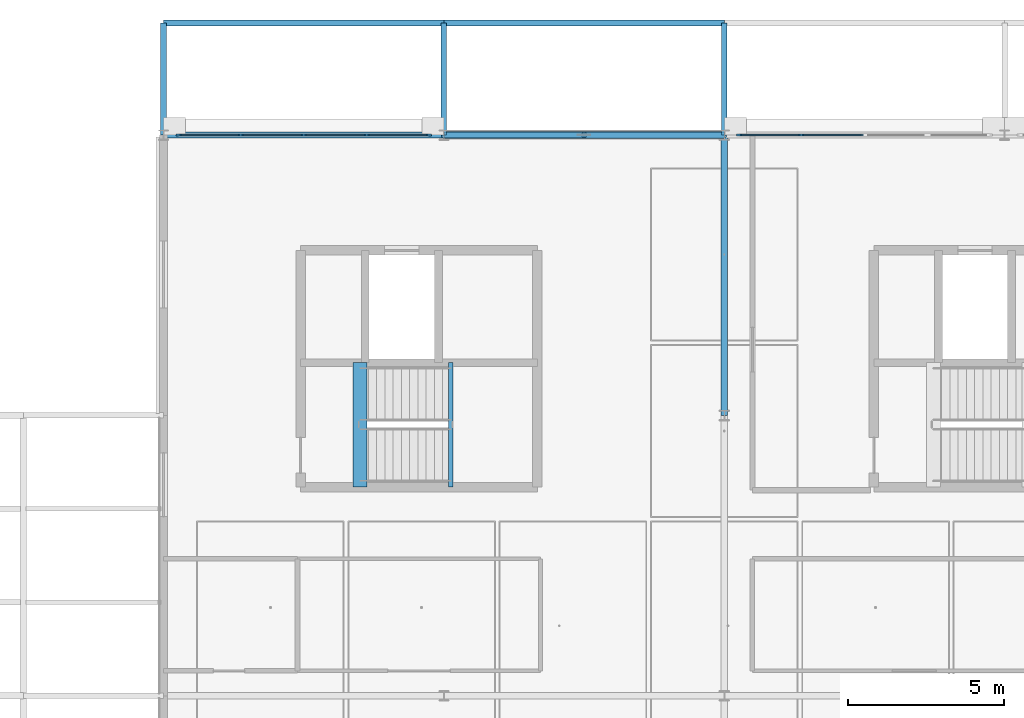
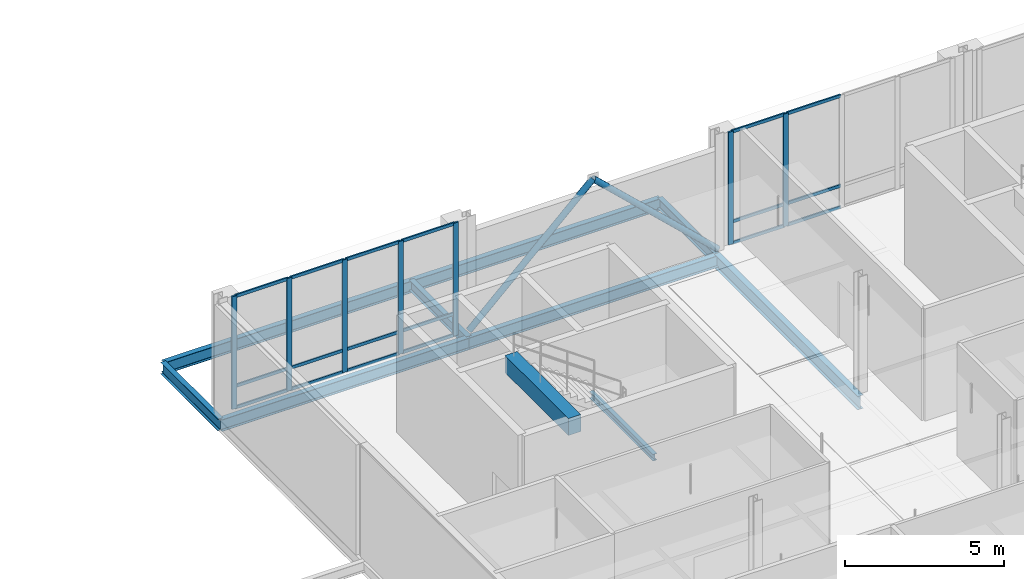
# One storey, part 30 of 66: 27 members, 10 beams, 2 elements without a shape of their own.
"""IFC4 building model written with IfcOpenShell, lengths in metres."""

from ifc_helpers import new_model, si_unit, direction, frame, origin, origin_2d, place, context, subcontext, project, spatial, rectangle, hollow_circle, i_section, extrude, material, material_profile, profile_set, type_object, element, aggregate, save


model = new_model("IFC4")

# Units and contexts
model_context = context("Model", 3, precision=1e-05, world=origin(), true_north=direction((0.0, 1.0)))
body_context = subcontext(model_context, "Body", "Model", "MODEL_VIEW")
ifc_project = project(units=[si_unit("LENGTHUNIT", "METRE"), si_unit("AREAUNIT", "SQUARE_METRE"), si_unit("VOLUMEUNIT", "CUBIC_METRE"), si_unit("PLANEANGLEUNIT", "RADIAN"), si_unit("MASSUNIT", "GRAM", prefix="KILO"), si_unit("THERMODYNAMICTEMPERATUREUNIT", "KELVIN"), si_unit("POWERUNIT", "WATT")], contexts=[model_context])

# Site, building, storey
site_placement = place(None, origin())
site = spatial("IfcSite", under=ifc_project, at=site_placement, CompositionType="ELEMENT")
building_placement = place(site_placement, origin())
building = spatial("IfcBuilding", under=site, at=building_placement, Name="Tallowbark Science Centre", CompositionType="ELEMENT")
storey_placement = place(building_placement, frame((0.0, 0.0, 18.89990234375)))
storey = spatial("IfcBuildingStorey", under=building, at=storey_placement, Name="L04", CompositionType="ELEMENT", Elevation=18.89990234375)

# Beams
ifc_material_1 = material(Name="Concrete Grade N40 (40 MPa)", Category="concrete")
ifc_material_profile_1 = material_profile(ifc_material_1, rectangle(XDim=0.449951171875, YDim=0.64990234375, at=origin_2d()), Name="RC450x650")
ifc_profile_set_1 = profile_set([ifc_material_profile_1], Name="Concrete Grade N40 (40 MPa)")
beam_type_1 = type_object("IfcBeamType", Name="BM-GB2-N40", PredefinedType="BEAM", material=ifc_profile_set_1)
beam_1_placement = place(storey_placement, frame((118.81005859375, 96.699951171875, 4.175048828125), z_axis=(0.0, 1.0, 0.0), x_axis=(-1.0, 0.0, 0.0)))
element("IfcBeam", 1, at=beam_1_placement, inside=storey, type_object=beam_type_1, Name="Stair ST-05 Landing Nosing Beam L04", PredefinedType="BEAM", context=body_context, shape_type="SweptSolid", body=[
    extrude(rectangle(XDim=0.449951171875, YDim=0.64990234375, at=origin_2d()), origin(), (0.0, 0.0, 1.0), 3.9951171875),
])
ifc_material_2 = material(Name="Structural Steel Grade 300PLUS (300 MPa)", Category="steel")
ifc_material_profile_2 = material_profile(ifc_material_2, i_section(OverallWidth=0.177734375, OverallDepth=0.406494140625, WebThickness=0.0078125, FlangeThickness=0.0126953125, FilletRadius=0.011474609375, at=origin_2d()), Name="410UB59.7")
ifc_profile_set_2 = profile_set([ifc_material_profile_2], Name="Structural Steel Grade 300PLUS (300 MPa)")
beam_type_2 = type_object("IfcBeamType", Name="BM-UB410", PredefinedType="BEAM", material=ifc_profile_set_2)
for number, where, z_axis, x_axis, name in (
    (2, (121.5, 108.0, -0.4130859375), (0.0, 1.0, 0.0), (-1.0, 0.0, 0.0), "Primary Girder GRDY-L04-1215-1080-1116"),
    (3, (130.5, 108.0, -0.4130859375), (0.0, 1.0, 0.0), (-1.0, 0.0, 0.0), "Primary Girder GRDY-L04-1305-1080-1116"),
):
    element("IfcBeam", number, at=place(storey_placement, frame(where, z_axis=z_axis, x_axis=x_axis)), inside=storey, type_object=beam_type_2, Name=name, PredefinedType="BEAM", context=body_context, shape_type="SweptSolid", body=[
        extrude(i_section(OverallWidth=0.177734375, OverallDepth=0.406494140625, WebThickness=0.0078125, FlangeThickness=0.0126953125, FilletRadius=0.011474609375, at=origin_2d()), origin(), (0.0, 0.0, 1.0), 3.60009765625),
    ])
ifc_material_profile_3 = material_profile(ifc_material_2, i_section(OverallWidth=0.208740234375, OverallDepth=0.5283203125, WebThickness=0.009521484375, FlangeThickness=0.01318359375, FilletRadius=0.013916015625, at=origin_2d()), Name="530UB82.0")
ifc_profile_set_3 = profile_set([ifc_material_profile_3], Name="Structural Steel Grade 300PLUS (300 MPa)")
beam_type_3 = type_object("IfcBeamType", Name="BM-UB530B", PredefinedType="BEAM", material=ifc_profile_set_3)
beam_2_placement = place(storey_placement, frame((130.5, 99.0, -0.444091796875), z_axis=(0.0, 1.0, 0.0), x_axis=(-1.0, 0.0, 0.0)))
element("IfcBeam", 4, at=beam_2_placement, inside=storey, type_object=beam_type_3, Name="Primary Girder GRDY-L04-1305-990-1080", PredefinedType="BEAM", context=body_context, shape_type="SweptSolid", body=[
    extrude(i_section(OverallWidth=0.208740234375, OverallDepth=0.5283203125, WebThickness=0.009521484375, FlangeThickness=0.01318359375, FilletRadius=0.013916015625, at=origin_2d()), origin(), (0.0, 0.0, 1.0), 9.0),
])

# Members
ifc_material_3 = material(Name="Structural Steel Grade C350L0 (350 MPa)", Category="steel")
ifc_material_profile_4 = material_profile(ifc_material_3, hollow_circle(Radius=0.109619140625, WallThickness=0.00830078125, at=origin_2d()), Name="219.1x8.2CHS")
ifc_profile_set_4 = profile_set([ifc_material_profile_4], Name="Structural Steel Grade C350L0 (350 MPa)")
member_type_1 = type_object("IfcMemberType", Name="CBF-219CHS", PredefinedType="BRACE", material=ifc_profile_set_4)
for number, where, z_axis, x_axis, name in (
    (5, (121.5, 108.0, 0.0), (0.72701315255, 0.0, 0.686623532964), (0.0, 1.0, 0.0), "Concentric Chevron Brace CBF-OBS-N1 L04 Left"),
    (6, (130.5, 108.0, 0.0), (-0.72701315255, 0.0, 0.686623532964), (0.0, -1.0, 0.0), "Concentric Chevron Brace CBF-OBS-N1 L04 Right"),
):
    element("IfcMember", number, at=place(storey_placement, frame(where, z_axis=z_axis, x_axis=x_axis)), inside=storey, type_object=member_type_1, Name=name, PredefinedType="BRACE", context=body_context, shape_type="SweptSolid", body=[
        extrude(hollow_circle(Radius=0.109619140625, WallThickness=0.00830078125, at=origin_2d()), origin(), (0.0, 0.0, 1.0), 6.189697265625),
    ])

# Curtain wall, members
ifc_material_4 = material(Name="Unitised Thermally Broken Aluminium and Low-E Double Glazing", Category="aluminium")
curtain_wall_type = type_object("IfcCurtainWallType", Name="CW-SYS-FACADE", PredefinedType="NOTDEFINED", material=ifc_material_4)
curtain_wall_1_placement = place(storey_placement, origin())
curtain_wall_1 = element("IfcCurtainWall", 7, at=curtain_wall_1_placement, inside=storey, type_object=curtain_wall_type, Name="Unitised Curtain Wall OBS4-N-112 CW-L04-191", PredefinedType="NOTDEFINED")
ifc_material_5 = material(Name="Anodised Architectural Aluminium Alloy 6063-T6", Category="aluminium")
ifc_material_profile_5 = material_profile(ifc_material_5, rectangle(XDim=0.06494140625, YDim=0.179931640625, at=origin_2d()), Name="ALU65x180")
ifc_profile_set_5 = profile_set([ifc_material_profile_5], Name="Anodised Architectural Aluminium Alloy 6063-T6")
member_type_2 = type_object("IfcMemberType", Name="CWM-MUL-220", PredefinedType="MULLION", material=ifc_profile_set_5)
member_1_placement = place(storey_placement, frame((121.017578125, 108.0, 0.0), z_axis=(0.0, 0.0, 1.0), x_axis=(0.0, -1.0, 0.0)))
member_1 = element("IfcMember", 8, at=member_1_placement, type_object=member_type_2, Name="CW-01 mullion 1", PredefinedType="MULLION", context=body_context, shape_type="SweptSolid", body=[
    extrude(rectangle(XDim=0.06494140625, YDim=0.179931640625, at=origin_2d()), origin(), (0.0, 0.0, 1.0), 4.320068359375),
])
member_2_placement = place(storey_placement, frame((119.02490234375, 108.0, 0.0), z_axis=(0.0, 0.0, 1.0), x_axis=(0.0, -1.0, 0.0)))
member_2 = element("IfcMember", 9, at=member_2_placement, type_object=member_type_2, Name="CW-01 mullion 2", PredefinedType="MULLION", context=body_context, shape_type="SweptSolid", body=[
    extrude(rectangle(XDim=0.06494140625, YDim=0.179931640625, at=origin_2d()), origin(), (0.0, 0.0, 1.0), 4.320068359375),
])
member_3_placement = place(storey_placement, frame((117.0, 108.0, 0.0), z_axis=(0.0, 0.0, 1.0), x_axis=(0.0, -1.0, 0.0)))
member_3 = element("IfcMember", 10, at=member_3_placement, type_object=member_type_2, Name="CW-01 mullion 3", PredefinedType="MULLION", context=body_context, shape_type="SweptSolid", body=[
    extrude(rectangle(XDim=0.06494140625, YDim=0.179931640625, at=origin_2d()), origin(), (0.0, 0.0, 1.0), 4.320068359375),
])
member_4_placement = place(storey_placement, frame((114.97509765625, 108.0, 0.0), z_axis=(0.0, 0.0, 1.0), x_axis=(0.0, -1.0, 0.0)))
member_4 = element("IfcMember", 11, at=member_4_placement, type_object=member_type_2, Name="CW-01 mullion 4", PredefinedType="MULLION", context=body_context, shape_type="SweptSolid", body=[
    extrude(rectangle(XDim=0.06494140625, YDim=0.179931640625, at=origin_2d()), origin(), (0.0, 0.0, 1.0), 4.320068359375),
])
member_5_placement = place(storey_placement, frame((112.982421875, 108.0, 0.0), z_axis=(0.0, 0.0, 1.0), x_axis=(0.0, -1.0, 0.0)))
member_5 = element("IfcMember", 12, at=member_5_placement, type_object=member_type_2, Name="CW-01 mullion 5", PredefinedType="MULLION", context=body_context, shape_type="SweptSolid", body=[
    extrude(rectangle(XDim=0.06494140625, YDim=0.179931640625, at=origin_2d()), origin(), (0.0, 0.0, 1.0), 4.320068359375),
])

curtain_wall_2_placement = place(storey_placement, origin())
curtain_wall_2 = element("IfcCurtainWall", 13, at=curtain_wall_2_placement, inside=storey, type_object=curtain_wall_type, Name="Unitised Curtain Wall OBS4-N-130 CW-L04-194", PredefinedType="NOTDEFINED")
member_6_placement = place(storey_placement, frame((132.97509765625, 108.0, 0.0), z_axis=(0.0, 0.0, 1.0), x_axis=(0.0, -1.0, 0.0)))
member_6 = element("IfcMember", 14, at=member_6_placement, type_object=member_type_2, Name="CW-01 mullion 4", PredefinedType="MULLION", context=body_context, shape_type="SweptSolid", body=[
    extrude(rectangle(XDim=0.06494140625, YDim=0.179931640625, at=origin_2d()), origin(), (0.0, 0.0, 1.0), 4.320068359375),
])
member_7_placement = place(storey_placement, frame((130.982421875, 108.0, 0.0), z_axis=(0.0, 0.0, 1.0), x_axis=(0.0, -1.0, 0.0)))
member_7 = element("IfcMember", 15, at=member_7_placement, type_object=member_type_2, Name="CW-01 mullion 5", PredefinedType="MULLION", context=body_context, shape_type="SweptSolid", body=[
    extrude(rectangle(XDim=0.06494140625, YDim=0.179931640625, at=origin_2d()), origin(), (0.0, 0.0, 1.0), 4.320068359375),
])

# Member
ifc_material_profile_6 = material_profile(ifc_material_5, rectangle(XDim=0.054931640625, YDim=0.1201171875, at=origin_2d()), Name="ALU55x120")
ifc_profile_set_6 = profile_set([ifc_material_profile_6], Name="Anodised Architectural Aluminium Alloy 6063-T6")
member_type_3 = type_object("IfcMemberType", Name="CWM-TRN-150", PredefinedType="USERDEFINED", material=ifc_profile_set_6)
member_8_placement = place(storey_placement, frame((120.985107421875, 108.0, 0.027587890625), z_axis=(-1.0, 0.0, 0.0), x_axis=(0.0, -1.0, 0.0)))
member_8 = element("IfcMember", 16, at=member_8_placement, type_object=member_type_3, Name="CW-01 transom 1.1", ObjectType="TRANSOM", PredefinedType="USERDEFINED", context=body_context, shape_type="SweptSolid", body=[
    extrude(rectangle(XDim=0.054931640625, YDim=0.1201171875, at=origin_2d()), origin(), (0.0, 0.0, 1.0), 1.927490234375),
])

member_9_placement = place(storey_placement, frame((120.985107421875, 108.0, 0.85009765625), z_axis=(-1.0, 0.0, 0.0), x_axis=(0.0, -1.0, 0.0)))
member_9 = element("IfcMember", 17, at=member_9_placement, type_object=member_type_3, Name="CW-01 transom 1.2", ObjectType="TRANSOM", PredefinedType="USERDEFINED", context=body_context, shape_type="SweptSolid", body=[
    extrude(rectangle(XDim=0.054931640625, YDim=0.1201171875, at=origin_2d()), origin(), (0.0, 0.0, 1.0), 1.927490234375),
])

member_10_placement = place(storey_placement, frame((120.985107421875, 108.0, 4.29248046875), z_axis=(-1.0, 0.0, 0.0), x_axis=(0.0, -1.0, 0.0)))
member_10 = element("IfcMember", 18, at=member_10_placement, type_object=member_type_3, Name="CW-01 transom 1.3", ObjectType="TRANSOM", PredefinedType="USERDEFINED", context=body_context, shape_type="SweptSolid", body=[
    extrude(rectangle(XDim=0.054931640625, YDim=0.1201171875, at=origin_2d()), origin(), (0.0, 0.0, 1.0), 1.927490234375),
])

member_11_placement = place(storey_placement, frame((118.992431640625, 108.0, 0.027587890625), z_axis=(-1.0, 0.0, 0.0), x_axis=(0.0, -1.0, 0.0)))
member_11 = element("IfcMember", 19, at=member_11_placement, type_object=member_type_3, Name="CW-01 transom 2.1", ObjectType="TRANSOM", PredefinedType="USERDEFINED", context=body_context, shape_type="SweptSolid", body=[
    extrude(rectangle(XDim=0.054931640625, YDim=0.1201171875, at=origin_2d()), origin(), (0.0, 0.0, 1.0), 1.9599609375),
])

member_12_placement = place(storey_placement, frame((118.992431640625, 108.0, 0.85009765625), z_axis=(-1.0, 0.0, 0.0), x_axis=(0.0, -1.0, 0.0)))
member_12 = element("IfcMember", 20, at=member_12_placement, type_object=member_type_3, Name="CW-01 transom 2.2", ObjectType="TRANSOM", PredefinedType="USERDEFINED", context=body_context, shape_type="SweptSolid", body=[
    extrude(rectangle(XDim=0.054931640625, YDim=0.1201171875, at=origin_2d()), origin(), (0.0, 0.0, 1.0), 1.9599609375),
])

member_13_placement = place(storey_placement, frame((118.992431640625, 108.0, 4.29248046875), z_axis=(-1.0, 0.0, 0.0), x_axis=(0.0, -1.0, 0.0)))
member_13 = element("IfcMember", 21, at=member_13_placement, type_object=member_type_3, Name="CW-01 transom 2.3", ObjectType="TRANSOM", PredefinedType="USERDEFINED", context=body_context, shape_type="SweptSolid", body=[
    extrude(rectangle(XDim=0.054931640625, YDim=0.1201171875, at=origin_2d()), origin(), (0.0, 0.0, 1.0), 1.9599609375),
])

member_14_placement = place(storey_placement, frame((116.967529296875, 108.0, 0.027587890625), z_axis=(-1.0, 0.0, 0.0), x_axis=(0.0, -1.0, 0.0)))
member_14 = element("IfcMember", 22, at=member_14_placement, type_object=member_type_3, Name="CW-01 transom 3.1", ObjectType="TRANSOM", PredefinedType="USERDEFINED", context=body_context, shape_type="SweptSolid", body=[
    extrude(rectangle(XDim=0.054931640625, YDim=0.1201171875, at=origin_2d()), origin(), (0.0, 0.0, 1.0), 1.9599609375),
])

member_15_placement = place(storey_placement, frame((116.967529296875, 108.0, 0.85009765625), z_axis=(-1.0, 0.0, 0.0), x_axis=(0.0, -1.0, 0.0)))
member_15 = element("IfcMember", 23, at=member_15_placement, type_object=member_type_3, Name="CW-01 transom 3.2", ObjectType="TRANSOM", PredefinedType="USERDEFINED", context=body_context, shape_type="SweptSolid", body=[
    extrude(rectangle(XDim=0.054931640625, YDim=0.1201171875, at=origin_2d()), origin(), (0.0, 0.0, 1.0), 1.9599609375),
])

member_16_placement = place(storey_placement, frame((116.967529296875, 108.0, 4.29248046875), z_axis=(-1.0, 0.0, 0.0), x_axis=(0.0, -1.0, 0.0)))
member_16 = element("IfcMember", 24, at=member_16_placement, type_object=member_type_3, Name="CW-01 transom 3.3", ObjectType="TRANSOM", PredefinedType="USERDEFINED", context=body_context, shape_type="SweptSolid", body=[
    extrude(rectangle(XDim=0.054931640625, YDim=0.1201171875, at=origin_2d()), origin(), (0.0, 0.0, 1.0), 1.9599609375),
])

member_17_placement = place(storey_placement, frame((114.9423828125, 108.0, 0.027587890625), z_axis=(-1.0, 0.0, 0.0), x_axis=(0.0, -1.0, 0.0)))
member_17 = element("IfcMember", 25, at=member_17_placement, type_object=member_type_3, Name="CW-01 transom 4.1", ObjectType="TRANSOM", PredefinedType="USERDEFINED", context=body_context, shape_type="SweptSolid", body=[
    extrude(rectangle(XDim=0.054931640625, YDim=0.1201171875, at=origin_2d()), origin(), (0.0, 0.0, 1.0), 1.927490234375),
])

member_18_placement = place(storey_placement, frame((114.9423828125, 108.0, 0.85009765625), z_axis=(-1.0, 0.0, 0.0), x_axis=(0.0, -1.0, 0.0)))
member_18 = element("IfcMember", 26, at=member_18_placement, type_object=member_type_3, Name="CW-01 transom 4.2", ObjectType="TRANSOM", PredefinedType="USERDEFINED", context=body_context, shape_type="SweptSolid", body=[
    extrude(rectangle(XDim=0.054931640625, YDim=0.1201171875, at=origin_2d()), origin(), (0.0, 0.0, 1.0), 1.927490234375),
])

member_19_placement = place(storey_placement, frame((114.9423828125, 108.0, 4.29248046875), z_axis=(-1.0, 0.0, 0.0), x_axis=(0.0, -1.0, 0.0)))
member_19 = element("IfcMember", 27, at=member_19_placement, type_object=member_type_3, Name="CW-01 transom 4.3", ObjectType="TRANSOM", PredefinedType="USERDEFINED", context=body_context, shape_type="SweptSolid", body=[
    extrude(rectangle(XDim=0.054931640625, YDim=0.1201171875, at=origin_2d()), origin(), (0.0, 0.0, 1.0), 1.927490234375),
])

aggregate(curtain_wall_1, [member_1, member_2, member_3, member_4, member_5, member_8, member_9, member_10, member_11, member_12, member_13, member_14, member_15, member_16, member_17, member_18, member_19])

member_20_placement = place(storey_placement, frame((134.967529296875, 108.0, 0.027587890625), z_axis=(-1.0, 0.0, 0.0), x_axis=(0.0, -1.0, 0.0)))
member_20 = element("IfcMember", 28, at=member_20_placement, type_object=member_type_3, Name="CW-01 transom 3.1", ObjectType="TRANSOM", PredefinedType="USERDEFINED", context=body_context, shape_type="SweptSolid", body=[
    extrude(rectangle(XDim=0.054931640625, YDim=0.1201171875, at=origin_2d()), origin(), (0.0, 0.0, 1.0), 1.9599609375),
])

member_21_placement = place(storey_placement, frame((134.967529296875, 108.0, 0.85009765625), z_axis=(-1.0, 0.0, 0.0), x_axis=(0.0, -1.0, 0.0)))
member_21 = element("IfcMember", 29, at=member_21_placement, type_object=member_type_3, Name="CW-01 transom 3.2", ObjectType="TRANSOM", PredefinedType="USERDEFINED", context=body_context, shape_type="SweptSolid", body=[
    extrude(rectangle(XDim=0.054931640625, YDim=0.1201171875, at=origin_2d()), origin(), (0.0, 0.0, 1.0), 1.9599609375),
])

member_22_placement = place(storey_placement, frame((134.967529296875, 108.0, 4.29248046875), z_axis=(-1.0, 0.0, 0.0), x_axis=(0.0, -1.0, 0.0)))
member_22 = element("IfcMember", 30, at=member_22_placement, type_object=member_type_3, Name="CW-01 transom 3.3", ObjectType="TRANSOM", PredefinedType="USERDEFINED", context=body_context, shape_type="SweptSolid", body=[
    extrude(rectangle(XDim=0.054931640625, YDim=0.1201171875, at=origin_2d()), origin(), (0.0, 0.0, 1.0), 1.9599609375),
])

member_23_placement = place(storey_placement, frame((132.9423828125, 108.0, 0.027587890625), z_axis=(-1.0, 0.0, 0.0), x_axis=(0.0, -1.0, 0.0)))
member_23 = element("IfcMember", 31, at=member_23_placement, type_object=member_type_3, Name="CW-01 transom 4.1", ObjectType="TRANSOM", PredefinedType="USERDEFINED", context=body_context, shape_type="SweptSolid", body=[
    extrude(rectangle(XDim=0.054931640625, YDim=0.1201171875, at=origin_2d()), origin(), (0.0, 0.0, 1.0), 1.927490234375),
])

member_24_placement = place(storey_placement, frame((132.9423828125, 108.0, 0.85009765625), z_axis=(-1.0, 0.0, 0.0), x_axis=(0.0, -1.0, 0.0)))
member_24 = element("IfcMember", 32, at=member_24_placement, type_object=member_type_3, Name="CW-01 transom 4.2", ObjectType="TRANSOM", PredefinedType="USERDEFINED", context=body_context, shape_type="SweptSolid", body=[
    extrude(rectangle(XDim=0.054931640625, YDim=0.1201171875, at=origin_2d()), origin(), (0.0, 0.0, 1.0), 1.927490234375),
])

member_25_placement = place(storey_placement, frame((132.9423828125, 108.0, 4.29248046875), z_axis=(-1.0, 0.0, 0.0), x_axis=(0.0, -1.0, 0.0)))
member_25 = element("IfcMember", 33, at=member_25_placement, type_object=member_type_3, Name="CW-01 transom 4.3", ObjectType="TRANSOM", PredefinedType="USERDEFINED", context=body_context, shape_type="SweptSolid", body=[
    extrude(rectangle(XDim=0.054931640625, YDim=0.1201171875, at=origin_2d()), origin(), (0.0, 0.0, 1.0), 1.927490234375),
])

aggregate(curtain_wall_2, [member_6, member_7, member_20, member_21, member_22, member_23, member_24, member_25])

# Beams
ifc_material_profile_7 = material_profile(ifc_material_2, i_section(OverallWidth=0.146484375, OverallDepth=0.256103515625, WebThickness=0.00634765625, FlangeThickness=0.010986328125, FilletRadius=0.0087890625, at=origin_2d()), Name="250UB37.3")
ifc_profile_set_7 = profile_set([ifc_material_profile_7], Name="Structural Steel Grade 300PLUS (300 MPa)")
beam_type_4 = type_object("IfcBeamType", Name="JST-UB250", PredefinedType="JOIST", material=ifc_profile_set_7)
beam_3_placement = place(storey_placement, frame((121.72509765625, 96.699951171875, 1.922119140625), z_axis=(0.0, 1.0, 0.0), x_axis=(-1.0, 0.0, 0.0)))
element("IfcBeam", 34, at=beam_3_placement, inside=storey, type_object=beam_type_4, Name="Stair ST-05 Half-Landing Trimmer L04", PredefinedType="JOIST", context=body_context, shape_type="SweptSolid", body=[
    extrude(i_section(OverallWidth=0.146484375, OverallDepth=0.256103515625, WebThickness=0.00634765625, FlangeThickness=0.010986328125, FilletRadius=0.0087890625, at=origin_2d()), origin(), (0.0, 0.0, 1.0), 3.9951171875),
])
ifc_material_profile_8 = material_profile(ifc_material_2, i_section(OverallWidth=0.18994140625, OverallDepth=0.453857421875, WebThickness=0.008544921875, FlangeThickness=0.0126953125, FilletRadius=0.011474609375, at=origin_2d()), Name="460UB67.1")
ifc_profile_set_8 = profile_set([ifc_material_profile_8], Name="Structural Steel Grade 300PLUS (300 MPa)")
beam_type_5 = type_object("IfcBeamType", Name="SPN-UB460", PredefinedType="SPANDREL", material=ifc_profile_set_8)
for number, where, z_axis, x_axis, name in (
    (35, (112.5, 108.0, -0.436767578125), (1.0, 0.0, 0.0), (0.0, 1.0, 0.0), "Primary Girder GRDX-L04-1125-1215-1080"),
    (36, (121.5, 108.0, -0.436767578125), (1.0, 0.0, 0.0), (0.0, 1.0, 0.0), "Primary Girder GRDX-L04-1215-1305-1080"),
    (37, (112.5, 111.60009765625, -0.436767578125), (1.0, 0.0, 0.0), (0.0, 1.0, 0.0), "Primary Girder GRDX-L04-1125-1215-1116"),
    (38, (121.5, 111.60009765625, -0.436767578125), (1.0, 0.0, 0.0), (0.0, 1.0, 0.0), "Primary Girder GRDX-L04-1215-1305-1116"),
):
    element("IfcBeam", number, at=place(storey_placement, frame(where, z_axis=z_axis, x_axis=x_axis)), inside=storey, type_object=beam_type_5, Name=name, PredefinedType="SPANDREL", context=body_context, shape_type="SweptSolid", body=[
        extrude(i_section(OverallWidth=0.18994140625, OverallDepth=0.453857421875, WebThickness=0.008544921875, FlangeThickness=0.0126953125, FilletRadius=0.011474609375, at=origin_2d()), origin(), (0.0, 0.0, 1.0), 9.0),
    ])
beam_4_placement = place(storey_placement, frame((112.5, 108.0, -0.436767578125), z_axis=(0.0, 1.0, 0.0), x_axis=(-1.0, 0.0, 0.0)))
element("IfcBeam", 39, at=beam_4_placement, inside=storey, type_object=beam_type_5, Name="Primary Girder GRDY-L04-1125-1080-1116", PredefinedType="SPANDREL", context=body_context, shape_type="SweptSolid", body=[
    extrude(i_section(OverallWidth=0.18994140625, OverallDepth=0.453857421875, WebThickness=0.008544921875, FlangeThickness=0.0126953125, FilletRadius=0.011474609375, at=origin_2d()), origin(), (0.0, 0.0, 1.0), 3.60009765625),
])

save(model, "model.ifc")
